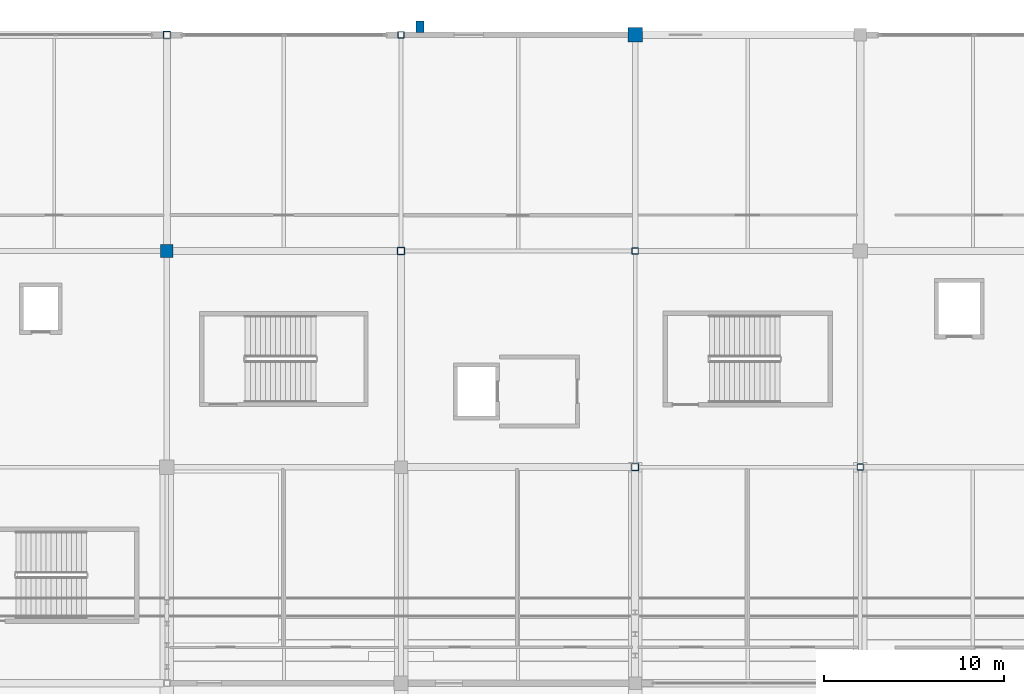
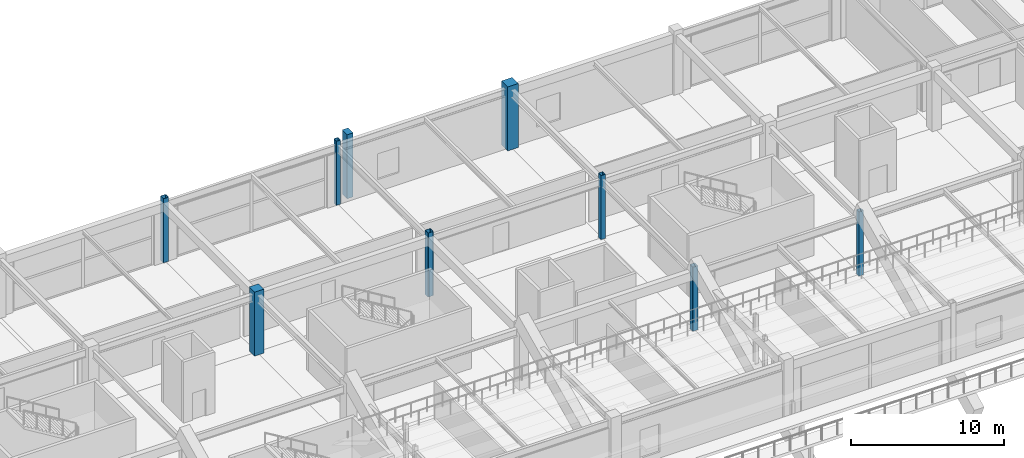
# One storey, part 22 of 128: 9 columns.
"""IFC4 building model written with IfcOpenShell, lengths in metres."""

from ifc_helpers import new_model, si_unit, direction, frame, origin, origin_2d, place, context, subcontext, project, spatial, rectangle, hollow_rectangle, extrude, material, material_profile, profile_set, type_object, element, save


model = new_model("IFC4")

# Units and contexts
model_context = context("Model", 3, precision=1e-05, world=origin(), true_north=direction((0.0, 1.0)))
body_context = subcontext(model_context, "Body", "Model", "MODEL_VIEW")
ifc_project = project(units=[si_unit("LENGTHUNIT", "METRE"), si_unit("AREAUNIT", "SQUARE_METRE"), si_unit("VOLUMEUNIT", "CUBIC_METRE"), si_unit("PLANEANGLEUNIT", "RADIAN"), si_unit("MASSUNIT", "GRAM", prefix="KILO")], contexts=[model_context])

# Site, building, storey
site_placement = place(None, origin())
site = spatial("IfcSite", under=ifc_project, at=site_placement, CompositionType="ELEMENT")
building_placement = place(site_placement, origin())
building = spatial("IfcBuilding", under=site, at=building_placement, Name="Kazenohara Klinker Stadium", CompositionType="ELEMENT")
storey_placement = place(building_placement, frame((0.0, 0.0, 15.300048828125)))
storey = spatial("IfcBuildingStorey", under=building, at=storey_placement, Name="L03", CompositionType="ELEMENT", Elevation=15.300048828125)

# Columns
ifc_material_1 = material(Name="Concrete C40/50", Category="concrete")
ifc_material_profile_1 = material_profile(ifc_material_1, rectangle(XDim=0.800048828125, YDim=0.800048828125, at=origin_2d()), Name="RC-COL-800x800")
ifc_profile_set_1 = profile_set([ifc_material_profile_1], Name="Concrete C40/50")
column_type_1 = type_object("IfcColumnType", Name="COL-RC05", PredefinedType="COLUMN", material=ifc_profile_set_1)
column_1_placement = place(storey_placement, frame((125.0, 168.0, 0.0), z_axis=(0.0, 0.0, 1.0), x_axis=(1.0, 0.0, 0.0)))
element("IfcColumn", 1, at=column_1_placement, inside=storey, type_object=column_type_1, Name="Column C05 L03 11/Q", PredefinedType="COLUMN", context=body_context, shape_type="SweptSolid", body=[
    extrude(rectangle(XDim=0.800048828125, YDim=0.800048828125, at=origin_2d()), origin(), (0.0, 0.0, 1.0), 5.099853515625),
])
ifc_material_profile_2 = material_profile(ifc_material_1, rectangle(XDim=0.699951171875, YDim=0.699951171875, at=origin_2d()), Name="RC-COL-700x700")
ifc_profile_set_2 = profile_set([ifc_material_profile_2], Name="Concrete C40/50")
column_type_2 = type_object("IfcColumnType", Name="COL-RC06", PredefinedType="COLUMN", material=ifc_profile_set_2)
column_2_placement = place(storey_placement, frame((99.0, 156.0, 0.0), z_axis=(0.0, 0.0, 1.0), x_axis=(1.0, 0.0, 0.0)))
element("IfcColumn", 2, at=column_2_placement, inside=storey, type_object=column_type_2, Name="Column C06 L03 9/P", PredefinedType="COLUMN", context=body_context, shape_type="SweptSolid", body=[
    extrude(rectangle(XDim=0.699951171875, YDim=0.699951171875, at=origin_2d()), origin(), (0.0, 0.0, 1.0), 5.099853515625),
])
ifc_material_2 = material(Name="Steel S355", Category="steel")
ifc_material_profile_3 = material_profile(ifc_material_2, hollow_rectangle(XDim=0.39990234375, YDim=0.39990234375, WallThickness=0.01611328125, InnerFilletRadius=0.01611328125, OuterFilletRadius=0.031982421875, at=origin_2d()), Name="SHS-400x400x16")
ifc_profile_set_3 = profile_set([ifc_material_profile_3], Name="Steel S355")
column_type_3 = type_object("IfcColumnType", Name="COL-ST01", PredefinedType="COLUMN", material=ifc_profile_set_3)
for number, where, z_axis, x_axis, name in (
    (3, (99.0, 168.0, 0.0), (0.0, 0.0, 1.0), (1.0, 0.0, 0.0), "Column SC01 L03 9/Q"),
    (4, (112.0, 156.0, 0.0), (0.0, 0.0, 1.0), (1.0, 0.0, 0.0), "Column SC01 L03 10/P"),
    (5, (125.0, 144.0, 0.0), (0.0, 0.0, 1.0), (1.0, 0.0, 0.0), "Column SC01 L03 11/N"),
):
    element("IfcColumn", number, at=place(storey_placement, frame(where, z_axis=z_axis, x_axis=x_axis)), inside=storey, type_object=column_type_3, Name=name, PredefinedType="COLUMN", context=body_context, shape_type="SweptSolid", body=[
        extrude(hollow_rectangle(XDim=0.39990234375, YDim=0.39990234375, WallThickness=0.01611328125, InnerFilletRadius=0.01611328125, OuterFilletRadius=0.031982421875, at=origin_2d()), origin(), (0.0, 0.0, 1.0), 5.099853515625),
    ])
ifc_material_profile_4 = material_profile(ifc_material_2, hollow_rectangle(XDim=0.35009765625, YDim=0.35009765625, WallThickness=0.01611328125, InnerFilletRadius=0.01611328125, OuterFilletRadius=0.031982421875, at=origin_2d()), Name="SHS-350x350x16")
ifc_profile_set_4 = profile_set([ifc_material_profile_4], Name="Steel S355")
column_type_4 = type_object("IfcColumnType", Name="COL-ST02", PredefinedType="COLUMN", material=ifc_profile_set_4)
for number, where, z_axis, x_axis, name in (
    (6, (112.0, 168.0, 0.0), (0.0, 0.0, 1.0), (1.0, 0.0, 0.0), "Column SC02 L03 10/Q"),
    (7, (125.0, 156.0, 0.0), (0.0, 0.0, 1.0), (1.0, 0.0, 0.0), "Column SC02 L03 11/P"),
    (8, (137.5, 144.0, 0.0), (0.0, 0.0, 1.0), (1.0, 0.0, 0.0), "Column SC02 L03 12/N"),
):
    element("IfcColumn", number, at=place(storey_placement, frame(where, z_axis=z_axis, x_axis=x_axis)), inside=storey, type_object=column_type_4, Name=name, PredefinedType="COLUMN", context=body_context, shape_type="SweptSolid", body=[
        extrude(hollow_rectangle(XDim=0.35009765625, YDim=0.35009765625, WallThickness=0.01611328125, InnerFilletRadius=0.01611328125, OuterFilletRadius=0.031982421875, at=origin_2d()), origin(), (0.0, 0.0, 1.0), 5.099853515625),
    ])
ifc_material_profile_5 = material_profile(ifc_material_1, rectangle(XDim=0.449951171875, YDim=0.64990234375, at=origin_2d()), Name="RC-PILASTER-450x650")
ifc_profile_set_5 = profile_set([ifc_material_profile_5], Name="Concrete C40/50")
column_type_5 = type_object("IfcColumnType", Name="PIL-RC01", PredefinedType="PILASTER", material=ifc_profile_set_5)
column_3_placement = place(storey_placement, frame((113.050048828125, 168.449951171875, 0.0), z_axis=(0.0, 0.0, 1.0), x_axis=(1.0, 0.0, 0.0)))
element("IfcColumn", 9, at=column_3_placement, inside=storey, type_object=column_type_5, Name="Pleated facade pilaster PL01 L03 North-09", PredefinedType="PILASTER", context=body_context, shape_type="SweptSolid", body=[
    extrude(rectangle(XDim=0.449951171875, YDim=0.64990234375, at=origin_2d()), origin(), (0.0, 0.0, 1.0), 5.099853515625),
])

save(model, "model.ifc")
